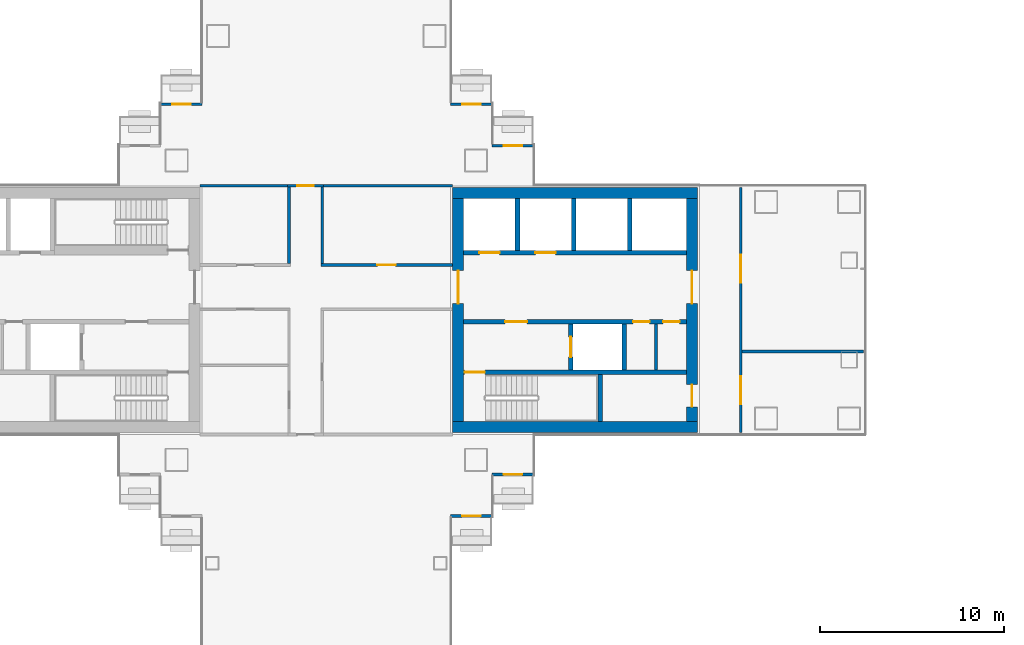
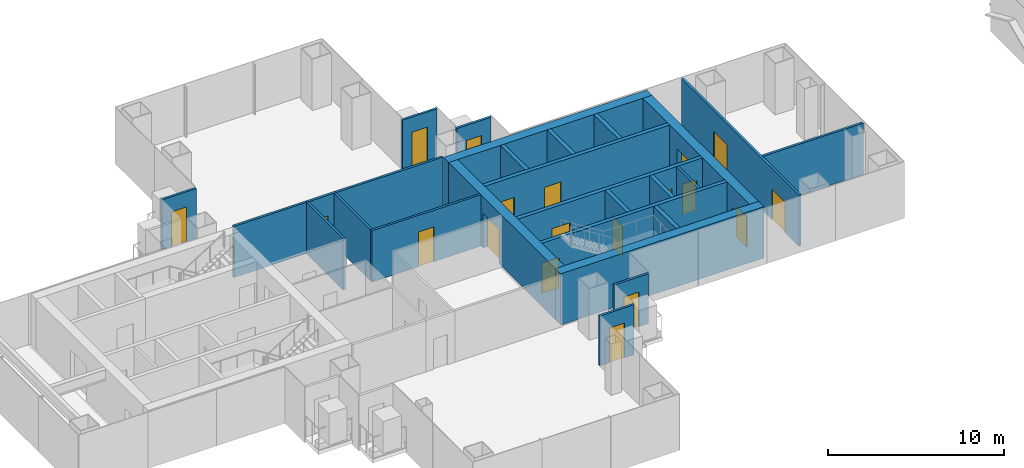
# One storey, part 12 of 19: 27 walls, 19 doors, 19 openings.
"""IFC4 building model written with IfcOpenShell, lengths in metres."""

from ifc_helpers import new_model, si_unit, direction, frame, frame_2d, origin, place, context, subcontext, project, spatial, rectangle, extrude, material, layer, layer_set, type_object, element, fill, save


model = new_model("IFC4")

# Units and contexts
model_context = context("Model", 3, precision=1e-05, world=origin(), true_north=direction((0.0, 1.0)))
body_context = subcontext(model_context, "Body", "Model", "MODEL_VIEW")
ifc_project = project(units=[si_unit("LENGTHUNIT", "METRE"), si_unit("AREAUNIT", "SQUARE_METRE"), si_unit("VOLUMEUNIT", "CUBIC_METRE"), si_unit("PLANEANGLEUNIT", "RADIAN"), si_unit("MASSUNIT", "GRAM", prefix="KILO")], contexts=[model_context])

# Site, building, storey
site_placement = place(None, origin())
site = spatial("IfcSite", under=ifc_project, at=site_placement, CompositionType="ELEMENT")
building_placement = place(site_placement, origin())
building = spatial("IfcBuilding", under=site, at=building_placement, Name="Shamsa Quay Exchange Towers", CompositionType="ELEMENT")
storey_placement = place(building_placement, frame((0.0, 0.0, 85.800048828125)))
storey = spatial("IfcBuildingStorey", under=building, at=storey_placement, Name="L19", CompositionType="ELEMENT", Elevation=85.800048828125)

# Wall, opening, door
ifc_material_1 = material(Name="Aluminium EN AW-6063 T6, black anodised, with black enamelled glass infill", Category="aluminium")
ifc_layer_1 = layer(ifc_material_1, 0.14990234375)
ifc_layer_set_1 = layer_set([ifc_layer_1], Name="BALCONY DOOR BAY WALL 150")
wall_type_1 = type_object("IfcWallType", Name="BALCONY DOOR BAY WALL 150", PredefinedType="SOLIDWALL", material=ifc_layer_set_1)
wall_1_placement = place(storey_placement, frame((-24.75, 8.925048828125, 0.0)))
wall_1 = element("IfcWall", 1, at=wall_1_placement, inside=storey, type_object=wall_type_1, Name="Door bay T1-PKEN L19", PredefinedType="SOLIDWALL", context=body_context, shape_type="SweptSolid", body=[
    extrude(rectangle(XDim=2.25, YDim=0.14990234375, at=frame_2d((1.125, 0.0))), origin(), (0.0, 0.0, 1.0), 3.449951171875),
])
opening_1_placement = place(wall_1_placement, frame((0.625, 0.0, 0.0)))
opening_1 = element("IfcOpeningElement", 2, at=opening_1_placement, cuts=wall_1, Name="Opening XD113", PredefinedType="OPENING", context=body_context, shape_type="SweptSolid", body=[
    extrude(rectangle(XDim=1.0, YDim=2.39990234375, at=frame_2d((0.5, 1.199951171875))), frame((0.0, 0.0849609375, 0.0), z_axis=(0.0, -1.0, 0.0), x_axis=(1.0, 0.0, 0.0)), (0.0, 0.0, 1.0), 0.169921875),
])
ifc_material_2 = material(Name="Aluminium EN AW-6063 T6, black anodised, with laminated glass leaf", Category="aluminium")
door_type_1 = type_object("IfcDoorType", Name="BALCONY DOOR 1000x2400", OperationType="SINGLE_SWING_LEFT", PredefinedType="DOOR", material=ifc_material_2)
door_1_placement = place(opening_1_placement, origin())
door_1 = element("IfcDoor", 3, at=door_1_placement, inside=storey, type_object=door_type_1, Name="Balcony door T1-PKEN L19", OperationType="SINGLE_SWING_RIGHT", OverallHeight=2.39990234375, OverallWidth=1.0, PredefinedType="DOOR", context=body_context, shape_type="SweptSolid", body=[
    extrude(rectangle(XDim=1.0, YDim=2.39990234375, at=frame_2d((0.5, 1.199951171875))), frame((0.0, 0.02490234375, 0.0), z_axis=(0.0, -1.0, 0.0), x_axis=(1.0, 0.0, 0.0)), (0.0, 0.0, 1.0), 0.050048828125),
])
fill(opening_1, door_1)

wall_2_placement = place(storey_placement, frame((-27.0, 11.175048828125, 0.0)))
wall_2 = element("IfcWall", 4, at=wall_2_placement, inside=storey, type_object=wall_type_1, Name="Door bay T1-PKEN L19", PredefinedType="SOLIDWALL", context=body_context, shape_type="SweptSolid", body=[
    extrude(rectangle(XDim=2.25, YDim=0.14990234375, at=frame_2d((1.125, 0.0))), origin(), (0.0, 0.0, 1.0), 3.449951171875),
])
opening_2_placement = place(wall_2_placement, frame((0.625, 0.0, 0.0)))
opening_2 = element("IfcOpeningElement", 5, at=opening_2_placement, cuts=wall_2, Name="Opening XD114", PredefinedType="OPENING", context=body_context, shape_type="SweptSolid", body=[
    extrude(rectangle(XDim=1.0, YDim=2.39990234375, at=frame_2d((0.5, 1.199951171875))), frame((0.0, 0.0849609375, 0.0), z_axis=(0.0, -1.0, 0.0), x_axis=(1.0, 0.0, 0.0)), (0.0, 0.0, 1.0), 0.169921875),
])
door_2_placement = place(opening_2_placement, origin())
door_2 = element("IfcDoor", 6, at=door_2_placement, inside=storey, type_object=door_type_1, Name="Balcony door T1-PKEN L19", OperationType="SINGLE_SWING_LEFT", OverallHeight=2.39990234375, OverallWidth=1.0, PredefinedType="DOOR", context=body_context, shape_type="SweptSolid", body=[
    extrude(rectangle(XDim=1.0, YDim=2.39990234375, at=frame_2d((0.5, 1.199951171875))), frame((0.0, 0.02490234375, 0.0), z_axis=(0.0, -1.0, 0.0), x_axis=(1.0, 0.0, 0.0)), (0.0, 0.0, 1.0), 0.050048828125),
])
fill(opening_2, door_2)

wall_3_placement = place(storey_placement, frame((-22.5, -8.925048828125, 0.0), z_axis=(0.0, 0.0, 1.0), x_axis=(-1.0, 0.0, 0.0)))
wall_3 = element("IfcWall", 7, at=wall_3_placement, inside=storey, type_object=wall_type_1, Name="Door bay T1-PKES L19", PredefinedType="SOLIDWALL", context=body_context, shape_type="SweptSolid", body=[
    extrude(rectangle(XDim=2.25, YDim=0.14990234375, at=frame_2d((1.125, 0.0))), origin(), (0.0, 0.0, 1.0), 3.449951171875),
])
opening_3_placement = place(wall_3_placement, frame((0.625, 0.0, 0.0)))
opening_3 = element("IfcOpeningElement", 8, at=opening_3_placement, cuts=wall_3, Name="Opening XD115", PredefinedType="OPENING", context=body_context, shape_type="SweptSolid", body=[
    extrude(rectangle(XDim=1.0, YDim=2.39990234375, at=frame_2d((0.5, 1.199951171875))), frame((0.0, 0.0849609375, 0.0), z_axis=(0.0, -1.0, 0.0), x_axis=(1.0, 0.0, 0.0)), (0.0, 0.0, 1.0), 0.169921875),
])
door_3_placement = place(opening_3_placement, origin())
door_3 = element("IfcDoor", 9, at=door_3_placement, inside=storey, type_object=door_type_1, Name="Balcony door T1-PKES L19", OperationType="SINGLE_SWING_RIGHT", OverallHeight=2.39990234375, OverallWidth=1.0, PredefinedType="DOOR", context=body_context, shape_type="SweptSolid", body=[
    extrude(rectangle(XDim=1.0, YDim=2.39990234375, at=frame_2d((0.5, 1.199951171875))), frame((0.0, 0.02490234375, 0.0), z_axis=(0.0, -1.0, 0.0), x_axis=(1.0, 0.0, 0.0)), (0.0, 0.0, 1.0), 0.050048828125),
])
fill(opening_3, door_3)

wall_4_placement = place(storey_placement, frame((-24.75, -11.175048828125, 0.0), z_axis=(0.0, 0.0, 1.0), x_axis=(-1.0, 0.0, 0.0)))
wall_4 = element("IfcWall", 10, at=wall_4_placement, inside=storey, type_object=wall_type_1, Name="Door bay T1-PKES L19", PredefinedType="SOLIDWALL", context=body_context, shape_type="SweptSolid", body=[
    extrude(rectangle(XDim=2.25, YDim=0.14990234375, at=frame_2d((1.125, 0.0))), origin(), (0.0, 0.0, 1.0), 3.449951171875),
])
opening_4_placement = place(wall_4_placement, frame((0.625, 0.0, 0.0)))
opening_4 = element("IfcOpeningElement", 11, at=opening_4_placement, cuts=wall_4, Name="Opening XD116", PredefinedType="OPENING", context=body_context, shape_type="SweptSolid", body=[
    extrude(rectangle(XDim=1.0, YDim=2.39990234375, at=frame_2d((0.5, 1.199951171875))), frame((0.0, 0.0849609375, 0.0), z_axis=(0.0, -1.0, 0.0), x_axis=(1.0, 0.0, 0.0)), (0.0, 0.0, 1.0), 0.169921875),
])
door_4_placement = place(opening_4_placement, origin())
door_4 = element("IfcDoor", 12, at=door_4_placement, inside=storey, type_object=door_type_1, Name="Balcony door T1-PKES L19", OperationType="SINGLE_SWING_LEFT", OverallHeight=2.39990234375, OverallWidth=1.0, PredefinedType="DOOR", context=body_context, shape_type="SweptSolid", body=[
    extrude(rectangle(XDim=1.0, YDim=2.39990234375, at=frame_2d((0.5, 1.199951171875))), frame((0.0, 0.02490234375, 0.0), z_axis=(0.0, -1.0, 0.0), x_axis=(1.0, 0.0, 0.0)), (0.0, 0.0, 1.0), 0.050048828125),
])
fill(opening_4, door_4)

wall_5_placement = place(storey_placement, frame((-42.75, 11.175048828125, 0.0)))
wall_5 = element("IfcWall", 13, at=wall_5_placement, inside=storey, type_object=wall_type_1, Name="Door bay T1-PKWN L19", PredefinedType="SOLIDWALL", context=body_context, shape_type="SweptSolid", body=[
    extrude(rectangle(XDim=2.25, YDim=0.14990234375, at=frame_2d((1.125, 0.0))), origin(), (0.0, 0.0, 1.0), 3.449951171875),
])
opening_5_placement = place(wall_5_placement, frame((0.625, 0.0, 0.0)))
opening_5 = element("IfcOpeningElement", 14, at=opening_5_placement, cuts=wall_5, Name="Opening XD117", PredefinedType="OPENING", context=body_context, shape_type="SweptSolid", body=[
    extrude(rectangle(XDim=1.0, YDim=2.39990234375, at=frame_2d((0.5, 1.199951171875))), frame((0.0, 0.0849609375, 0.0), z_axis=(0.0, -1.0, 0.0), x_axis=(1.0, 0.0, 0.0)), (0.0, 0.0, 1.0), 0.169921875),
])
door_5_placement = place(opening_5_placement, origin())
door_5 = element("IfcDoor", 15, at=door_5_placement, inside=storey, type_object=door_type_1, Name="Balcony door T1-PKWN L19", OperationType="SINGLE_SWING_LEFT", OverallHeight=2.39990234375, OverallWidth=1.0, PredefinedType="DOOR", context=body_context, shape_type="SweptSolid", body=[
    extrude(rectangle(XDim=1.0, YDim=2.39990234375, at=frame_2d((0.5, 1.199951171875))), frame((0.0, 0.02490234375, 0.0), z_axis=(0.0, -1.0, 0.0), x_axis=(1.0, 0.0, 0.0)), (0.0, 0.0, 1.0), 0.050048828125),
])
fill(opening_5, door_5)

# Walls
ifc_material_3 = material(Name="Concrete C70/85", Category="concrete")
ifc_layer_2 = layer(ifc_material_3, 0.60009765625)
ifc_layer_set_2 = layer_set([ifc_layer_2], Name="CORE WALL 600 C70/85")
wall_type_2 = type_object("IfcWallType", Name="CORE WALL 600 C70/85", PredefinedType="SHEAR", material=ifc_layer_set_2)
for number, where, name in (
    (16, (-26.89990234375, -6.35009765625, 0.0), "Core wall T1A-R08-PS"),
    (17, (-26.89990234375, 6.35009765625, 0.0), "Core wall T1A-R08-PN"),
):
    element("IfcWall", number, at=place(storey_placement, frame(where)), inside=storey, type_object=wall_type_2, Name=name, PredefinedType="SHEAR", context=body_context, shape_type="SweptSolid", body=[
        extrude(rectangle(XDim=13.2998046875, YDim=0.60009765625, at=frame_2d((6.64990234375, 0.0))), origin(), (0.0, 0.0, 1.0), 3.550048828125),
    ])

# Wall, opening, door
wall_6_placement = place(storey_placement, frame((-26.60009765625, 6.050048828125, 0.0), z_axis=(0.0, 0.0, 1.0), x_axis=(0.0, -1.0, 0.0)))
wall_6 = element("IfcWall", 18, at=wall_6_placement, inside=storey, type_object=wall_type_2, Name="Core wall T1A-R08-PF", PredefinedType="SHEAR", context=body_context, shape_type="SweptSolid", body=[
    extrude(rectangle(XDim=12.10009765625, YDim=0.60009765625, at=frame_2d((6.050048828125, 0.0))), origin(), (0.0, 0.0, 1.0), 3.550048828125),
])
opening_6_placement = place(wall_6_placement, frame((3.89990234375, 0.0, 0.0)))
opening_6 = element("IfcOpeningElement", 19, at=opening_6_placement, cuts=wall_6, Name="Opening T1A-R08-LBD01", PredefinedType="OPENING", context=body_context, shape_type="SweptSolid", body=[
    extrude(rectangle(XDim=1.800048828125, YDim=2.39990234375, at=frame_2d((0.89990234375, 1.199951171875))), frame((0.0, 0.31005859375, 0.0), z_axis=(0.0, -1.0, 0.0), x_axis=(1.0, 0.0, 0.0)), (0.0, 0.0, 1.0), 0.6201171875),
])
ifc_material_4 = material(Name="Steel, fire rated", Category="steel")
door_type_2 = type_object("IfcDoorType", Name="LIFT LOBBY DOOR PAIR 1800", OperationType="DOUBLE_DOOR_SINGLE_SWING", PredefinedType="DOOR", material=ifc_material_4)
door_6_placement = place(opening_6_placement, origin())
door_6 = element("IfcDoor", 20, at=door_6_placement, inside=storey, type_object=door_type_2, Name="T1A-R08-LBD01", OperationType="DOUBLE_DOOR_SINGLE_SWING", OverallHeight=2.39990234375, OverallWidth=1.800048828125, PredefinedType="DOOR", context=body_context, shape_type="SweptSolid", body=[
    extrude(rectangle(XDim=1.800048828125, YDim=2.39990234375, at=frame_2d((0.89990234375, 1.199951171875))), frame((0.0, 0.02490234375, 0.0), z_axis=(0.0, -1.0, 0.0), x_axis=(1.0, 0.0, 0.0)), (0.0, 0.0, 1.0), 0.050048828125),
])
fill(opening_6, door_6)

# Wall, openings, doors
wall_7_placement = place(storey_placement, frame((-13.89990234375, 6.050048828125, 0.0), z_axis=(0.0, 0.0, 1.0), x_axis=(0.0, -1.0, 0.0)))
wall_7 = element("IfcWall", 21, at=wall_7_placement, inside=storey, type_object=wall_type_2, Name="Core wall T1A-R08-PB", PredefinedType="SHEAR", context=body_context, shape_type="SweptSolid", body=[
    extrude(rectangle(XDim=12.10009765625, YDim=0.60009765625, at=frame_2d((6.050048828125, 0.0))), origin(), (0.0, 0.0, 1.0), 3.550048828125),
])
opening_7_placement = place(wall_7_placement, frame((10.10009765625, 0.0, 0.0)))
opening_7 = element("IfcOpeningElement", 22, at=opening_7_placement, cuts=wall_7, Name="Opening T1A-R08-RD02", PredefinedType="OPENING", context=body_context, shape_type="SweptSolid", body=[
    extrude(rectangle(XDim=1.199951171875, YDim=2.10009765625, at=frame_2d((0.60009765625, 1.050048828125))), frame((0.0, 0.31005859375, 0.0), z_axis=(0.0, -1.0, 0.0), x_axis=(1.0, 0.0, 0.0)), (0.0, 0.0, 1.0), 0.6201171875),
])
opening_8_placement = place(wall_7_placement, frame((3.89990234375, 0.0, 0.0)))
opening_8 = element("IfcOpeningElement", 23, at=opening_8_placement, cuts=wall_7, Name="Opening T1A-R08-LBD03", PredefinedType="OPENING", context=body_context, shape_type="SweptSolid", body=[
    extrude(rectangle(XDim=1.800048828125, YDim=2.39990234375, at=frame_2d((0.89990234375, 1.199951171875))), frame((0.0, 0.31005859375, 0.0), z_axis=(0.0, -1.0, 0.0), x_axis=(1.0, 0.0, 0.0)), (0.0, 0.0, 1.0), 0.6201171875),
])
door_7_placement = place(opening_8_placement, origin())
door_7 = element("IfcDoor", 24, at=door_7_placement, inside=storey, type_object=door_type_2, Name="T1A-R08-LBD03", OperationType="DOUBLE_DOOR_SINGLE_SWING", OverallHeight=2.39990234375, OverallWidth=1.800048828125, PredefinedType="DOOR", context=body_context, shape_type="SweptSolid", body=[
    extrude(rectangle(XDim=1.800048828125, YDim=2.39990234375, at=frame_2d((0.89990234375, 1.199951171875))), frame((0.0, 0.02490234375, 0.0), z_axis=(0.0, -1.0, 0.0), x_axis=(1.0, 0.0, 0.0)), (0.0, 0.0, 1.0), 0.050048828125),
])
fill(opening_8, door_7)
door_type_3 = type_object("IfcDoorType", Name="RISER ACCESS DOOR 1200", OperationType="SINGLE_SWING_LEFT", PredefinedType="DOOR", material=ifc_material_4)
door_8_placement = place(opening_7_placement, origin())
door_8 = element("IfcDoor", 25, at=door_8_placement, inside=storey, type_object=door_type_3, Name="T1A-R08-RD02", OperationType="SINGLE_SWING_RIGHT", OverallHeight=2.10009765625, OverallWidth=1.199951171875, PredefinedType="DOOR", context=body_context, shape_type="SweptSolid", body=[
    extrude(rectangle(XDim=1.199951171875, YDim=2.10009765625, at=frame_2d((0.60009765625, 1.050048828125))), frame((0.0, 0.02490234375, 0.0), z_axis=(0.0, -1.0, 0.0), x_axis=(1.0, 0.0, 0.0)), (0.0, 0.0, 1.0), 0.050048828125),
])
fill(opening_7, door_8)

# Walls
ifc_material_5 = material(Name="Gypsum board on steel studs, EI 60", Category="steel")
ifc_layer_3 = layer(ifc_material_5, 0.14990234375)
ifc_layer_set_3 = layer_set([ifc_layer_3], Name="FIRE PARTITION 150")
wall_type_3 = type_object("IfcWallType", Name="FIRE PARTITION 150", PredefinedType="PARTITIONING", material=ifc_layer_set_3)
wall_8_placement = place(storey_placement, frame((-15.85009765625, -3.25, 0.0), z_axis=(0.0, 0.0, 1.0), x_axis=(0.0, 1.0, 0.0)))
element("IfcWall", 26, at=wall_8_placement, inside=storey, type_object=wall_type_3, Name="Partition T1A-R08-EC0", PredefinedType="PARTITIONING", context=body_context, shape_type="SweptSolid", body=[
    extrude(rectangle(XDim=2.5, YDim=0.14990234375, at=frame_2d((1.25, 0.0))), origin(), (0.0, 0.0, 1.0), 3.550048828125),
])
ifc_material_6 = material(Name="Gypsum board partition on metal studs")
ifc_layer_4 = layer(ifc_material_6, 0.14990234375)
ifc_layer_set_4 = layer_set([ifc_layer_4], Name="Partition 150 mm EI 60")
wall_type_4 = type_object("IfcWallType", Name="Partition 150 mm EI 60", PredefinedType="PARTITIONING", material=ifc_layer_set_4)
wall_9_placement = place(storey_placement, frame((-33.974609375, 6.675048828125, 0.0), z_axis=(0.0, 0.0, 1.0), x_axis=(0.0, -1.0, 0.0)))
element("IfcWall", 27, at=wall_9_placement, inside=storey, type_object=wall_type_4, Name="Partition T1-R08-W01", PredefinedType="PARTITIONING", context=body_context, shape_type="SweptSolid", body=[
    extrude(rectangle(XDim=4.14990234375, YDim=0.14990234375, at=frame_2d((2.074951171875, 0.0))), origin(), (0.0, 0.0, 1.0), 3.550048828125),
])

# Wall, opening, door
wall_10_placement = place(storey_placement, frame((-34.049560546875, 2.4501953125, 0.0)))
wall_10 = element("IfcWall", 28, at=wall_10_placement, inside=storey, type_object=wall_type_4, Name="Partition T1-R08-W03", PredefinedType="PARTITIONING", context=body_context, shape_type="SweptSolid", body=[
    extrude(rectangle(XDim=7.149658203125, YDim=0.14990234375, at=frame_2d((3.57470703125, 0.0))), origin(), (0.0, 0.0, 1.0), 3.550048828125),
])
opening_9_placement = place(wall_10_placement, frame((3.062255859375, 0.0, 0.0)))
opening_9 = element("IfcOpeningElement", 29, at=opening_9_placement, cuts=wall_10, Name="Opening T1-R08-D07", PredefinedType="OPENING", context=body_context, shape_type="SweptSolid", body=[
    extrude(rectangle(XDim=1.0, YDim=2.39990234375, at=frame_2d((0.5, 1.199951171875))), frame((0.0, 0.0849609375, 0.0), z_axis=(0.0, -1.0, 0.0), x_axis=(1.0, 0.0, 0.0)), (0.0, 0.0, 1.0), 0.169921875),
])
ifc_material_7 = material(Name="Timber door leaf in a metal frame", Category="wood")
door_type_4 = type_object("IfcDoorType", Name="Door 1000x2400 FD30S", OperationType="NOTDEFINED", PredefinedType="DOOR", material=ifc_material_7)
door_9_placement = place(opening_9_placement, origin())
door_9 = element("IfcDoor", 30, at=door_9_placement, inside=storey, type_object=door_type_4, Name="Door T1-R08-D07", OperationType="SINGLE_SWING_RIGHT", OverallHeight=2.39990234375, OverallWidth=1.0, PredefinedType="DOOR", context=body_context, shape_type="SweptSolid", body=[
    extrude(rectangle(XDim=1.0, YDim=2.39990234375, at=frame_2d((0.5, 1.199951171875))), frame((0.0, 0.02490234375, 0.0), z_axis=(0.0, -1.0, 0.0), x_axis=(1.0, 0.0, 0.0)), (0.0, 0.0, 1.0), 0.050048828125),
])
fill(opening_9, door_9)

# Wall
wall_11_placement = place(storey_placement, frame((-35.775390625, 2.525146484375, 0.0), z_axis=(0.0, 0.0, 1.0), x_axis=(0.0, 1.0, 0.0)))
element("IfcWall", 31, at=wall_11_placement, inside=storey, type_object=wall_type_4, Name="Partition T1-R08-W06", PredefinedType="PARTITIONING", context=body_context, shape_type="SweptSolid", body=[
    extrude(rectangle(XDim=4.14990234375, YDim=0.14990234375, at=frame_2d((2.074951171875, 0.0))), origin(), (0.0, 0.0, 1.0), 3.550048828125),
])

# Wall, opening, door
wall_12_placement = place(storey_placement, frame((-35.850341796875, 6.75, 0.0)))
wall_12 = element("IfcWall", 32, at=wall_12_placement, inside=storey, type_object=wall_type_4, Name="Partition T1-R08-W09", PredefinedType="PARTITIONING", context=body_context, shape_type="SweptSolid", body=[
    extrude(rectangle(XDim=1.95068359375, YDim=0.14990234375, at=frame_2d((0.975341796875, 0.0))), origin(), (0.0, 0.0, 1.0), 3.550048828125),
])
opening_10_placement = place(wall_12_placement, frame((0.525390625, 0.0, 0.0)))
opening_10 = element("IfcOpeningElement", 33, at=opening_10_placement, cuts=wall_12, Name="Opening T1-R08-D04", PredefinedType="OPENING", context=body_context, shape_type="SweptSolid", body=[
    extrude(rectangle(XDim=0.89990234375, YDim=2.10009765625, at=frame_2d((0.449951171875, 1.050048828125))), frame((0.0, 0.0849609375, 0.0), z_axis=(0.0, -1.0, 0.0), x_axis=(1.0, 0.0, 0.0)), (0.0, 0.0, 1.0), 0.169921875),
])
door_type_5 = type_object("IfcDoorType", Name="Door 900x2100 FD30S", OperationType="NOTDEFINED", PredefinedType="DOOR", material=ifc_material_7)
door_10_placement = place(opening_10_placement, origin())
door_10 = element("IfcDoor", 34, at=door_10_placement, inside=storey, type_object=door_type_5, Name="Door T1-R08-D04", OperationType="SINGLE_SWING_LEFT", OverallHeight=2.10009765625, OverallWidth=0.89990234375, PredefinedType="DOOR", context=body_context, shape_type="SweptSolid", body=[
    extrude(rectangle(XDim=0.89990234375, YDim=2.10009765625, at=frame_2d((0.449951171875, 1.050048828125))), frame((0.0, 0.02490234375, 0.0), z_axis=(0.0, -1.0, 0.0), x_axis=(1.0, 0.0, 0.0)), (0.0, 0.0, 1.0), 0.050048828125),
])
fill(opening_10, door_10)

# Wall, openings, doors
wall_13_placement = place(storey_placement, frame((-11.25, 6.655029296875, 0.0), z_axis=(0.0, 0.0, 1.0), x_axis=(0.0, -1.0, 0.0)))
wall_13 = element("IfcWall", 35, at=wall_13_placement, inside=storey, type_object=wall_type_4, Name="Partition T1-R08-W11", PredefinedType="PARTITIONING", context=body_context, shape_type="SweptSolid", body=[
    extrude(rectangle(XDim=13.31005859375, YDim=0.14990234375, at=frame_2d((6.655029296875, 0.0))), origin(), (0.0, 0.0, 1.0), 3.550048828125),
])
opening_11_placement = place(wall_13_placement, frame((3.655029296875, 0.0, 0.0)))
opening_11 = element("IfcOpeningElement", 36, at=opening_11_placement, cuts=wall_13, Name="Opening T1-R08-D08", PredefinedType="OPENING", context=body_context, shape_type="SweptSolid", body=[
    extrude(rectangle(XDim=1.5, YDim=2.10009765625, at=frame_2d((0.75, 1.050048828125))), frame((0.0, 0.0849609375, 0.0), z_axis=(0.0, -1.0, 0.0), x_axis=(1.0, 0.0, 0.0)), (0.0, 0.0, 1.0), 0.169921875),
])
opening_12_placement = place(wall_13_placement, frame((10.2548828125, 0.0, 0.0)))
opening_12 = element("IfcOpeningElement", 37, at=opening_12_placement, cuts=wall_13, Name="Opening T1-R08-D09", PredefinedType="OPENING", context=body_context, shape_type="SweptSolid", body=[
    extrude(rectangle(XDim=1.5, YDim=2.10009765625, at=frame_2d((0.75, 1.050048828125))), frame((0.0, 0.0849609375, 0.0), z_axis=(0.0, -1.0, 0.0), x_axis=(1.0, 0.0, 0.0)), (0.0, 0.0, 1.0), 0.169921875),
])
door_type_6 = type_object("IfcDoorType", Name="Door 1500x2100 FD30S pair", OperationType="NOTDEFINED", PredefinedType="DOOR", material=ifc_material_7)
door_11_placement = place(opening_11_placement, origin())
door_11 = element("IfcDoor", 38, at=door_11_placement, inside=storey, type_object=door_type_6, Name="Door T1-R08-D08", OperationType="DOUBLE_DOOR_SINGLE_SWING", OverallHeight=2.10009765625, OverallWidth=1.5, PredefinedType="DOOR", context=body_context, shape_type="SweptSolid", body=[
    extrude(rectangle(XDim=1.5, YDim=2.10009765625, at=frame_2d((0.75, 1.050048828125))), frame((0.0, 0.02490234375, 0.0), z_axis=(0.0, -1.0, 0.0), x_axis=(1.0, 0.0, 0.0)), (0.0, 0.0, 1.0), 0.050048828125),
])
fill(opening_11, door_11)
door_12_placement = place(opening_12_placement, origin())
door_12 = element("IfcDoor", 39, at=door_12_placement, inside=storey, type_object=door_type_6, Name="Door T1-R08-D09", OperationType="DOUBLE_DOOR_SINGLE_SWING", OverallHeight=2.10009765625, OverallWidth=1.5, PredefinedType="DOOR", context=body_context, shape_type="SweptSolid", body=[
    extrude(rectangle(XDim=1.5, YDim=2.10009765625, at=frame_2d((0.75, 1.050048828125))), frame((0.0, 0.02490234375, 0.0), z_axis=(0.0, -1.0, 0.0), x_axis=(1.0, 0.0, 0.0)), (0.0, 0.0, 1.0), 0.050048828125),
])
fill(opening_12, door_12)

# Walls
wall_14_placement = place(storey_placement, frame((-26.89990234375, 6.75, 0.0), z_axis=(0.0, 0.0, 1.0), x_axis=(-1.0, 0.0, 0.0)))
element("IfcWall", 40, at=wall_14_placement, inside=storey, type_object=wall_type_4, Name="Partition T1-R08-W12", PredefinedType="PARTITIONING", context=body_context, shape_type="SweptSolid", body=[
    extrude(rectangle(XDim=7.149658203125, YDim=0.14990234375, at=frame_2d((3.57470703125, 0.0))), origin(), (0.0, 0.0, 1.0), 3.550048828125),
])
wall_15_placement = place(storey_placement, frame((-35.700439453125, 6.75, 0.0), z_axis=(0.0, 0.0, 1.0), x_axis=(-1.0, 0.0, 0.0)))
element("IfcWall", 41, at=wall_15_placement, inside=storey, type_object=wall_type_4, Name="Partition T1-R08-W13", PredefinedType="PARTITIONING", context=body_context, shape_type="SweptSolid", body=[
    extrude(rectangle(XDim=4.899658203125, YDim=0.14990234375, at=frame_2d((2.44970703125, 0.0))), origin(), (0.0, 0.0, 1.0), 3.550048828125),
])
wall_16_placement = place(storey_placement, frame((-4.594970703125, -2.25, 0.0), z_axis=(0.0, 0.0, 1.0), x_axis=(-1.0, 0.0, 0.0)))
element("IfcWall", 42, at=wall_16_placement, inside=storey, type_object=wall_type_4, Name="Partition T1-R08-W17", PredefinedType="PARTITIONING", context=body_context, shape_type="SweptSolid", body=[
    extrude(rectangle(XDim=6.580078125, YDim=0.14990234375, at=frame_2d((3.2900390625, 0.0))), origin(), (0.0, 0.0, 1.0), 3.550048828125),
])

# Wall, opening, door
ifc_material_8 = material(Name="Concrete C50/60", Category="concrete")
ifc_layer_5 = layer(ifc_material_8, 0.25)
ifc_layer_set_5 = layer_set([ifc_layer_5], Name="SHAFT WALL 250 C50/60")
wall_type_5 = type_object("IfcWallType", Name="SHAFT WALL 250 C50/60", PredefinedType="SHEAR", material=ifc_layer_set_5)
wall_17_placement = place(storey_placement, frame((-14.199951171875, -3.375, 0.0), z_axis=(0.0, 0.0, 1.0), x_axis=(-1.0, 0.0, 0.0)))
wall_17 = element("IfcWall", 43, at=wall_17_placement, inside=storey, type_object=wall_type_5, Name="Shaft wall T1A-R08-STL", PredefinedType="SHEAR", context=body_context, shape_type="SweptSolid", body=[
    extrude(rectangle(XDim=12.10009765625, YDim=0.25, at=frame_2d((6.050048828125, 0.0))), origin(), (0.0, 0.0, 1.0), 3.550048828125),
])
opening_13_placement = place(wall_17_placement, frame((10.949951171875, 0.0, 0.0)))
opening_13 = element("IfcOpeningElement", 44, at=opening_13_placement, cuts=wall_17, Name="Opening T1A-R08-SD04", PredefinedType="OPENING", context=body_context, shape_type="SweptSolid", body=[
    extrude(rectangle(XDim=1.10009765625, YDim=2.10009765625, at=frame_2d((0.550048828125, 1.050048828125))), frame((0.0, 0.135009765625, 0.0), z_axis=(0.0, -1.0, 0.0), x_axis=(1.0, 0.0, 0.0)), (0.0, 0.0, 1.0), 0.27001953125),
])
door_type_7 = type_object("IfcDoorType", Name="STAIR DOOR 1100", OperationType="SINGLE_SWING_LEFT", PredefinedType="DOOR", material=ifc_material_4)
door_13_placement = place(opening_13_placement, origin())
door_13 = element("IfcDoor", 45, at=door_13_placement, inside=storey, type_object=door_type_7, Name="T1A-R08-SD04", OperationType="SINGLE_SWING_RIGHT", OverallHeight=2.10009765625, OverallWidth=1.10009765625, PredefinedType="DOOR", context=body_context, shape_type="SweptSolid", body=[
    extrude(rectangle(XDim=1.10009765625, YDim=2.10009765625, at=frame_2d((0.550048828125, 1.050048828125))), frame((0.0, 0.02490234375, 0.0), z_axis=(0.0, -1.0, 0.0), x_axis=(1.0, 0.0, 0.0)), (0.0, 0.0, 1.0), 0.050048828125),
])
fill(opening_13, door_13)

# Wall
wall_18_placement = place(storey_placement, frame((-18.875, -6.050048828125, 0.0), z_axis=(0.0, 0.0, 1.0), x_axis=(0.0, 1.0, 0.0)))
element("IfcWall", 46, at=wall_18_placement, inside=storey, type_object=wall_type_5, Name="Shaft wall T1A-R08-STF", PredefinedType="SHEAR", context=body_context, shape_type="SweptSolid", body=[
    extrude(rectangle(XDim=2.550048828125, YDim=0.25, at=frame_2d((1.27490234375, 0.0))), origin(), (0.0, 0.0, 1.0), 3.550048828125),
])

# Wall, openings, doors
wall_19_placement = place(storey_placement, frame((-14.199951171875, -0.625, 0.0), z_axis=(0.0, 0.0, 1.0), x_axis=(-1.0, 0.0, 0.0)))
wall_19 = element("IfcWall", 47, at=wall_19_placement, inside=storey, type_object=wall_type_5, Name="Shaft wall T1A-R08-B", PredefinedType="SHEAR", context=body_context, shape_type="SweptSolid", body=[
    extrude(rectangle(XDim=12.10009765625, YDim=0.25, at=frame_2d((6.050048828125, 0.0))), origin(), (0.0, 0.0, 1.0), 3.550048828125),
])
opening_14_placement = place(wall_19_placement, frame((8.64990234375, 0.0, 0.0)))
opening_14 = element("IfcOpeningElement", 48, at=opening_14_placement, cuts=wall_19, Name="Opening T1A-R08-FD05", PredefinedType="OPENING", context=body_context, shape_type="SweptSolid", body=[
    extrude(rectangle(XDim=1.199951171875, YDim=2.10009765625, at=frame_2d((0.60009765625, 1.050048828125))), frame((0.0, 0.135009765625, 0.0), z_axis=(0.0, -1.0, 0.0), x_axis=(1.0, 0.0, 0.0)), (0.0, 0.0, 1.0), 0.27001953125),
])
opening_15_placement = place(wall_19_placement, frame((2.0, 0.0, 0.0)))
opening_15 = element("IfcOpeningElement", 49, at=opening_15_placement, cuts=wall_19, Name="Opening T1A-R08-SV06", PredefinedType="OPENING", context=body_context, shape_type="SweptSolid", body=[
    extrude(rectangle(XDim=0.89990234375, YDim=2.10009765625, at=frame_2d((0.449951171875, 1.050048828125))), frame((0.0, 0.135009765625, 0.0), z_axis=(0.0, -1.0, 0.0), x_axis=(1.0, 0.0, 0.0)), (0.0, 0.0, 1.0), 0.27001953125),
])
opening_16_placement = place(wall_19_placement, frame((0.375, 0.0, 0.0)))
opening_16 = element("IfcOpeningElement", 50, at=opening_16_placement, cuts=wall_19, Name="Opening T1A-R08-SV07", PredefinedType="OPENING", context=body_context, shape_type="SweptSolid", body=[
    extrude(rectangle(XDim=0.89990234375, YDim=2.10009765625, at=frame_2d((0.449951171875, 1.050048828125))), frame((0.0, 0.135009765625, 0.0), z_axis=(0.0, -1.0, 0.0), x_axis=(1.0, 0.0, 0.0)), (0.0, 0.0, 1.0), 0.27001953125),
])
door_type_8 = type_object("IfcDoorType", Name="FIRE SERVICE LOBBY DOOR 1200", OperationType="SINGLE_SWING_LEFT", PredefinedType="DOOR", material=ifc_material_4)
door_14_placement = place(opening_14_placement, origin())
door_14 = element("IfcDoor", 51, at=door_14_placement, inside=storey, type_object=door_type_8, Name="T1A-R08-FD05", OperationType="SINGLE_SWING_RIGHT", OverallHeight=2.10009765625, OverallWidth=1.199951171875, PredefinedType="DOOR", context=body_context, shape_type="SweptSolid", body=[
    extrude(rectangle(XDim=1.199951171875, YDim=2.10009765625, at=frame_2d((0.60009765625, 1.050048828125))), frame((0.0, 0.02490234375, 0.0), z_axis=(0.0, -1.0, 0.0), x_axis=(1.0, 0.0, 0.0)), (0.0, 0.0, 1.0), 0.050048828125),
])
fill(opening_14, door_14)
door_type_9 = type_object("IfcDoorType", Name="SERVICE ROOM DOOR 900", OperationType="SINGLE_SWING_LEFT", PredefinedType="DOOR", material=ifc_material_4)
door_15_placement = place(opening_15_placement, origin())
door_15 = element("IfcDoor", 52, at=door_15_placement, inside=storey, type_object=door_type_9, Name="T1A-R08-SV06", OperationType="SINGLE_SWING_LEFT", OverallHeight=2.10009765625, OverallWidth=0.89990234375, PredefinedType="DOOR", context=body_context, shape_type="SweptSolid", body=[
    extrude(rectangle(XDim=0.89990234375, YDim=2.10009765625, at=frame_2d((0.449951171875, 1.050048828125))), frame((0.0, 0.02490234375, 0.0), z_axis=(0.0, -1.0, 0.0), x_axis=(1.0, 0.0, 0.0)), (0.0, 0.0, 1.0), 0.050048828125),
])
fill(opening_15, door_15)
door_16_placement = place(opening_16_placement, origin())
door_16 = element("IfcDoor", 53, at=door_16_placement, inside=storey, type_object=door_type_9, Name="T1A-R08-SV07", OperationType="SINGLE_SWING_LEFT", OverallHeight=2.10009765625, OverallWidth=0.89990234375, PredefinedType="DOOR", context=body_context, shape_type="SweptSolid", body=[
    extrude(rectangle(XDim=0.89990234375, YDim=2.10009765625, at=frame_2d((0.449951171875, 1.050048828125))), frame((0.0, 0.02490234375, 0.0), z_axis=(0.0, -1.0, 0.0), x_axis=(1.0, 0.0, 0.0)), (0.0, 0.0, 1.0), 0.050048828125),
])
fill(opening_16, door_16)

# Wall, opening, door
wall_20_placement = place(storey_placement, frame((-20.47509765625, -3.25, 0.0), z_axis=(0.0, 0.0, 1.0), x_axis=(0.0, 1.0, 0.0)))
wall_20 = element("IfcWall", 54, at=wall_20_placement, inside=storey, type_object=wall_type_5, Name="Shaft wall T1A-R08-FFF", PredefinedType="SHEAR", context=body_context, shape_type="SweptSolid", body=[
    extrude(rectangle(XDim=2.5, YDim=0.25, at=frame_2d((1.25, 0.0))), origin(), (0.0, 0.0, 1.0), 3.550048828125),
])
opening_17_placement = place(wall_20_placement, frame((0.699951171875, 0.0, 0.0)))
opening_17 = element("IfcOpeningElement", 55, at=opening_17_placement, cuts=wall_20, Name="Opening T1A-R08-LDF08", PredefinedType="OPENING", context=body_context, shape_type="SweptSolid", body=[
    extrude(rectangle(XDim=1.10009765625, YDim=2.10009765625, at=frame_2d((0.550048828125, 1.050048828125))), frame((0.0, 0.135009765625, 0.0), z_axis=(0.0, -1.0, 0.0), x_axis=(1.0, 0.0, 0.0)), (0.0, 0.0, 1.0), 0.27001953125),
])
door_type_10 = type_object("IfcDoorType", Name="FIRE SERVICE LANDING DOOR 1100", OperationType="SLIDING_TO_LEFT", PredefinedType="DOOR", material=ifc_material_4)
door_17_placement = place(opening_17_placement, origin())
door_17 = element("IfcDoor", 56, at=door_17_placement, inside=storey, type_object=door_type_10, Name="T1A-R08-LDF08", OperationType="SLIDING_TO_LEFT", OverallHeight=2.10009765625, OverallWidth=1.10009765625, PredefinedType="DOOR", context=body_context, shape_type="SweptSolid", body=[
    extrude(rectangle(XDim=1.10009765625, YDim=2.10009765625, at=frame_2d((0.550048828125, 1.050048828125))), frame((0.0, 0.02490234375, 0.0), z_axis=(0.0, -1.0, 0.0), x_axis=(1.0, 0.0, 0.0)), (0.0, 0.0, 1.0), 0.050048828125),
])
fill(opening_17, door_17)

# Wall
wall_21_placement = place(storey_placement, frame((-17.574951171875, -3.25, 0.0), z_axis=(0.0, 0.0, 1.0), x_axis=(0.0, 1.0, 0.0)))
element("IfcWall", 57, at=wall_21_placement, inside=storey, type_object=wall_type_5, Name="Shaft wall T1A-R08-FFB", PredefinedType="SHEAR", context=body_context, shape_type="SweptSolid", body=[
    extrude(rectangle(XDim=2.5, YDim=0.25, at=frame_2d((1.25, 0.0))), origin(), (0.0, 0.0, 1.0), 3.550048828125),
])

# Wall, openings, doors
wall_22_placement = place(storey_placement, frame((-26.300048828125, 3.125, 0.0)))
wall_22 = element("IfcWall", 58, at=wall_22_placement, inside=storey, type_object=wall_type_5, Name="Shaft wall T1A-R08-N", PredefinedType="SHEAR", context=body_context, shape_type="SweptSolid", body=[
    extrude(rectangle(XDim=12.10009765625, YDim=0.25, at=frame_2d((6.050048828125, 0.0))), origin(), (0.0, 0.0, 1.0), 3.550048828125),
])
opening_18_placement = place(wall_22_placement, frame((0.85009765625, 0.0, 0.0)))
opening_18 = element("IfcOpeningElement", 59, at=opening_18_placement, cuts=wall_22, Name="Opening T1A-R08-LD09", PredefinedType="OPENING", context=body_context, shape_type="SweptSolid", body=[
    extrude(rectangle(XDim=1.10009765625, YDim=2.10009765625, at=frame_2d((0.550048828125, 1.050048828125))), frame((0.0, 0.135009765625, 0.0), z_axis=(0.0, -1.0, 0.0), x_axis=(1.0, 0.0, 0.0)), (0.0, 0.0, 1.0), 0.27001953125),
])
opening_19_placement = place(wall_22_placement, frame((3.89990234375, 0.0, 0.0)))
opening_19 = element("IfcOpeningElement", 60, at=opening_19_placement, cuts=wall_22, Name="Opening T1A-R08-LD10", PredefinedType="OPENING", context=body_context, shape_type="SweptSolid", body=[
    extrude(rectangle(XDim=1.10009765625, YDim=2.10009765625, at=frame_2d((0.550048828125, 1.050048828125))), frame((0.0, 0.135009765625, 0.0), z_axis=(0.0, -1.0, 0.0), x_axis=(1.0, 0.0, 0.0)), (0.0, 0.0, 1.0), 0.27001953125),
])
door_type_11 = type_object("IfcDoorType", Name="LANDING DOOR 1100", OperationType="SLIDING_TO_LEFT", PredefinedType="DOOR", material=ifc_material_4)
door_18_placement = place(opening_18_placement, origin())
door_18 = element("IfcDoor", 61, at=door_18_placement, inside=storey, type_object=door_type_11, Name="T1A-R08-LD09", OperationType="SLIDING_TO_LEFT", OverallHeight=2.10009765625, OverallWidth=1.10009765625, PredefinedType="DOOR", context=body_context, shape_type="SweptSolid", body=[
    extrude(rectangle(XDim=1.10009765625, YDim=2.10009765625, at=frame_2d((0.550048828125, 1.050048828125))), frame((0.0, 0.02490234375, 0.0), z_axis=(0.0, -1.0, 0.0), x_axis=(1.0, 0.0, 0.0)), (0.0, 0.0, 1.0), 0.050048828125),
])
fill(opening_18, door_18)
door_19_placement = place(opening_19_placement, origin())
door_19 = element("IfcDoor", 62, at=door_19_placement, inside=storey, type_object=door_type_11, Name="T1A-R08-LD10", OperationType="SLIDING_TO_LEFT", OverallHeight=2.10009765625, OverallWidth=1.10009765625, PredefinedType="DOOR", context=body_context, shape_type="SweptSolid", body=[
    extrude(rectangle(XDim=1.10009765625, YDim=2.10009765625, at=frame_2d((0.550048828125, 1.050048828125))), frame((0.0, 0.02490234375, 0.0), z_axis=(0.0, -1.0, 0.0), x_axis=(1.0, 0.0, 0.0)), (0.0, 0.0, 1.0), 0.050048828125),
])
fill(opening_19, door_19)

# Walls
for number, where, z_axis, x_axis, name in (
    (63, (-23.375, 3.25, 0.0), (0.0, 0.0, 1.0), (0.0, 1.0, 0.0), "Shaft wall T1A-R08-D0"),
    (64, (-20.324951171875, 3.25, 0.0), (0.0, 0.0, 1.0), (0.0, 1.0, 0.0), "Shaft wall T1A-R08-D1"),
    (65, (-17.27490234375, 3.25, 0.0), (0.0, 0.0, 1.0), (0.0, 1.0, 0.0), "Shaft wall T1A-R08-D2"),
):
    element("IfcWall", number, at=place(storey_placement, frame(where, z_axis=z_axis, x_axis=x_axis)), inside=storey, type_object=wall_type_5, Name=name, PredefinedType="SHEAR", context=body_context, shape_type="SweptSolid", body=[
        extrude(rectangle(XDim=2.800048828125, YDim=0.25, at=frame_2d((1.39990234375, 0.0))), origin(), (0.0, 0.0, 1.0), 3.550048828125),
    ])

save(model, "model.ifc")
